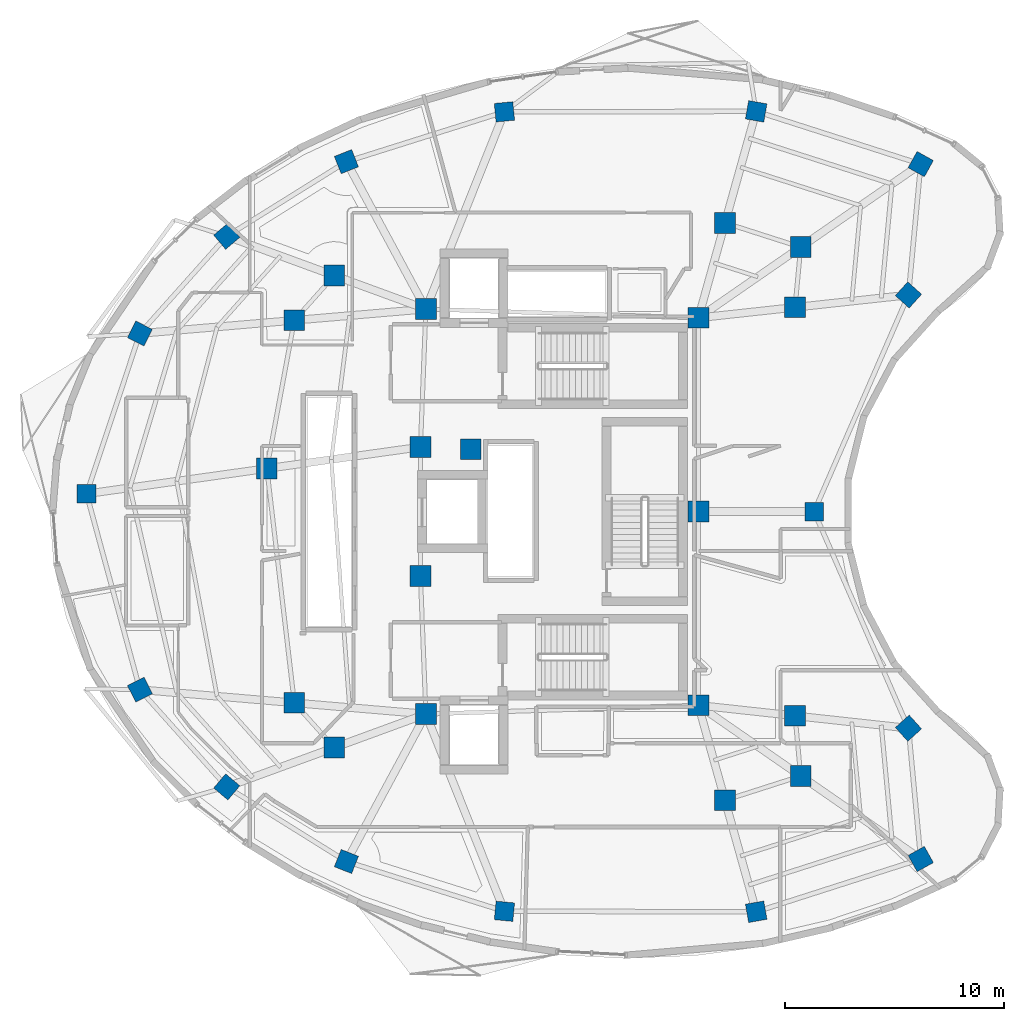
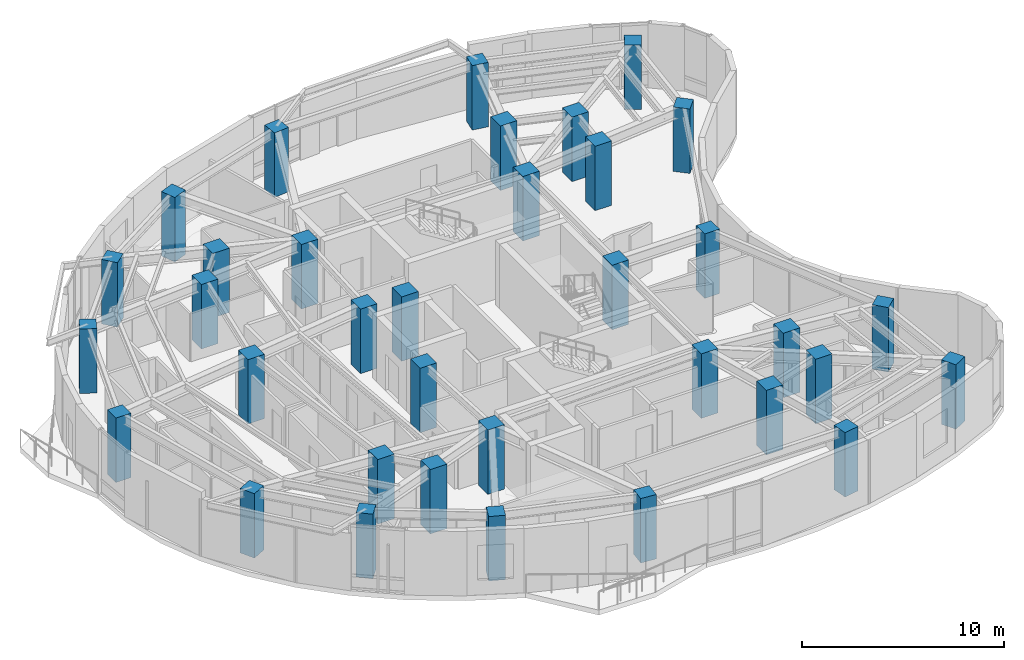
# One storey, part 1 of 14: 35 columns.
"""IFC4 building model written with IfcOpenShell, lengths in metres."""

from ifc_helpers import new_model, si_unit, direction, frame, origin, origin_2d, place, context, subcontext, project, spatial, rectangle, extrude, material, material_profile, profile_set, type_object, element, save


model = new_model("IFC4")

# Units and contexts
model_context = context("Model", 3, precision=1e-05, world=origin(), true_north=direction((0.0, 1.0)))
body_context = subcontext(model_context, "Body", "Model", "MODEL_VIEW")
ifc_project = project(units=[si_unit("LENGTHUNIT", "METRE"), si_unit("AREAUNIT", "SQUARE_METRE"), si_unit("VOLUMEUNIT", "CUBIC_METRE"), si_unit("PLANEANGLEUNIT", "RADIAN"), si_unit("MASSUNIT", "GRAM", prefix="KILO")], contexts=[model_context])

# Site, building, storey
site_placement = place(None, origin())
site = spatial("IfcSite", under=ifc_project, at=site_placement, CompositionType="ELEMENT")
building_placement = place(site_placement, origin())
building = spatial("IfcBuilding", under=site, at=building_placement, Name="Korentha Bioscience Tower", CompositionType="ELEMENT")
storey_placement = place(building_placement, frame((0.0, 0.0, 264.60009765625)))
storey = spatial("IfcBuildingStorey", under=building, at=storey_placement, Name="L61", CompositionType="ELEMENT", Elevation=264.60009765625)

# Columns
ifc_material_1 = material(Name="Concrete C65", Category="concrete")
ifc_material_profile_1 = material_profile(ifc_material_1, rectangle(XDim=0.949951171875, YDim=0.949951171875, at=origin_2d()), Name="Concrete C65")
ifc_profile_set_1 = profile_set([ifc_material_profile_1], Name="Concrete C65 (COL-CP09)")
column_type_1 = type_object("IfcColumnType", Name="Core Pilaster Column RC 950x950", PredefinedType="PILASTER", material=ifc_profile_set_1)
for number, where, z_axis, x_axis, name in (
    (1, (37.550048828125, 35.85009765625, -0.00048828125), (0.0, 0.0, 1.0), (1.0, 0.0, 0.0), "L61 Core Pilaster CP-01"),
    (2, (25.10009765625, 36.25, -0.00048828125), (0.0, 0.0, 1.0), (1.0, 0.0, 0.0), "L61 Core Pilaster CP-02"),
    (3, (24.85009765625, 29.949951171875, -0.00048828125), (0.0, 0.0, 1.0), (1.0, 0.0, 0.0), "L61 Core Pilaster CP-03"),
    (4, (27.14990234375, 29.85009765625, -0.00048828125), (0.0, 0.0, 1.0), (1.0, 0.0, 0.0), "L61 Core Pilaster CP-04"),
    (5, (24.85009765625, 24.050048828125, -0.00048828125), (0.0, 0.0, 1.0), (1.0, 0.0, 0.0), "L61 Core Pilaster CP-05"),
    (6, (25.10009765625, 17.75, -0.00048828125), (0.0, 0.0, 1.0), (1.0, 0.0, 0.0), "L61 Core Pilaster CP-06"),
    (7, (37.550048828125, 18.14990234375, -0.00048828125), (0.0, 0.0, 1.0), (1.0, 0.0, 0.0), "L61 Core Pilaster CP-07"),
    (8, (37.550048828125, 27.0, -0.00048828125), (0.0, 0.0, 1.0), (1.0, 0.0, 0.0), "L61 Core Pilaster CP-08"),
):
    element("IfcColumn", number, at=place(storey_placement, frame(where, z_axis=z_axis, x_axis=x_axis)), inside=storey, type_object=column_type_1, Name=name, PredefinedType="PILASTER", context=body_context, shape_type="SweptSolid", body=[
        extrude(rectangle(XDim=0.949951171875, YDim=0.949951171875, at=origin_2d()), origin(), (0.0, 0.0, 1.0), 3.90087890625),
    ])
ifc_material_profile_2 = material_profile(ifc_material_1, rectangle(XDim=0.949951171875, YDim=0.949951171875, at=origin_2d()), Name="Concrete C65")
ifc_profile_set_2 = profile_set([ifc_material_profile_2], Name="Concrete C65 (COL-MR09)")
column_type_2 = type_object("IfcColumnType", Name="Mid-Ring Lab Column RC 950x950", PredefinedType="COLUMN", material=ifc_profile_set_2)
for number, where, z_axis, x_axis, name in (
    (9, (42.2216796875, 39.08056640625, -0.00048828125), (0.0, 0.0, 1.0), (1.0, 0.0, 0.0), "L61 Mid-Ring Column 01"),
    (10, (38.76416015625, 40.18896484375, -0.00048828125), (0.0, 0.0, 1.0), (1.0, 0.0, 0.0), "L61 Mid-Ring Column 02"),
    (11, (20.915283203125, 37.78125, -0.00048828125), (0.0, 0.0, 1.0), (1.0, 0.0, 0.0), "L61 Mid-Ring Column 05"),
    (12, (19.08984375, 35.737548828125, -0.00048828125), (0.0, 0.0, 1.0), (1.0, 0.0, 0.0), "L61 Mid-Ring Column 06"),
    (13, (17.833740234375, 28.9658203125, -0.00048828125), (0.0, 0.0, 1.0), (1.0, 0.0, 0.0), "L61 Mid-Ring Column 07"),
    (14, (19.08984375, 18.262451171875, -0.00048828125), (0.0, 0.0, 1.0), (1.0, 0.0, 0.0), "L61 Mid-Ring Column 08"),
    (15, (20.915283203125, 16.21875, -0.00048828125), (0.0, 0.0, 1.0), (1.0, 0.0, 0.0), "L61 Mid-Ring Column 09"),
    (16, (38.76416015625, 13.81103515625, -0.00048828125), (0.0, 0.0, 1.0), (1.0, 0.0, 0.0), "L61 Mid-Ring Column 12"),
    (17, (42.2216796875, 14.91943359375, -0.00048828125), (0.0, 0.0, 1.0), (1.0, 0.0, 0.0), "L61 Mid-Ring Column 13"),
    (18, (41.9638671875, 17.669189453125, -0.00048828125), (0.0, 0.0, 1.0), (1.0, 0.0, 0.0), "L61 Mid-Ring Column 14"),
    (19, (41.9638671875, 36.330810546875, -0.00048828125), (0.0, 0.0, 1.0), (1.0, 0.0, 0.0), "L61 Mid-Ring Column 16"),
):
    element("IfcColumn", number, at=place(storey_placement, frame(where, z_axis=z_axis, x_axis=x_axis)), inside=storey, type_object=column_type_2, Name=name, PredefinedType="COLUMN", context=body_context, shape_type="SweptSolid", body=[
        extrude(rectangle(XDim=0.949951171875, YDim=0.949951171875, at=origin_2d()), origin(), (0.0, 0.0, 1.0), 3.90087890625),
    ])
ifc_material_2 = material(Name="Concrete C50", Category="concrete")
ifc_material_profile_3 = material_profile(ifc_material_2, rectangle(XDim=0.85009765625, YDim=0.85009765625, at=origin_2d()), Name="Concrete C50")
ifc_profile_set_3 = profile_set([ifc_material_profile_3], Name="Concrete C50 (COL-P08)")
column_type_3 = type_object("IfcColumnType", Name="Perimeter Column RC 850x850", PredefinedType="COLUMN", material=ifc_profile_set_3)
for number, where, z_axis, x_axis, name in (
    (20, (47.7060546875, 42.873046875, -0.00048828125), (0.0, 0.0, 1.0), (-0.874535078577, 0.484962262797, 0.0), "L61 Perimeter Column 01"),
    (21, (40.189453125, 45.2822265625, -0.00048828125), (0.0, 0.0, 1.0), (-0.984868307662, 0.173304404339, 0.0), "L61 Perimeter Column 02"),
    (22, (28.68798828125, 45.2607421875, -0.00048828125), (0.0, 0.0, 1.0), (0.995462868748, 0.095150811579, 0.0), "L61 Perimeter Column 03"),
    (23, (21.468505859375, 42.986328125, -0.00048828125), (0.0, 0.0, 1.0), (0.930225540858, 0.366988341962, 0.0), "L61 Perimeter Column 04"),
    (24, (16.002685546875, 39.57861328125, -0.00048828125), (0.0, 0.0, 1.0), (0.764246456939, 0.644924300253, 0.0), "L61 Perimeter Column 05"),
    (25, (12.034423828125, 35.135986328125, -0.00048828125), (0.0, 0.0, 1.0), (0.453057191132, 0.891481453292, 0.0), "L61 Perimeter Column 06"),
    (26, (9.597412109375, 27.810302734375, -0.00048828125), (0.0, 0.0, 1.0), (0.0, 1.0, 0.0), "L61 Perimeter Column 07"),
    (27, (12.034423828125, 18.864013671875, -0.00048828125), (0.0, 0.0, 1.0), (-0.453057191132, 0.891481453292, 0.0), "L61 Perimeter Column 08"),
    (28, (16.002685546875, 14.42138671875, -0.00048828125), (0.0, 0.0, 1.0), (-0.764246456939, 0.644924300253, 0.0), "L61 Perimeter Column 09"),
    (29, (21.468505859375, 11.013671875, -0.00048828125), (0.0, 0.0, 1.0), (-0.930225540858, 0.366988341962, 0.0), "L61 Perimeter Column 10"),
    (30, (28.68798828125, 8.7392578125, -0.00048828125), (0.0, 0.0, 1.0), (-0.995462868748, 0.095150811579, 0.0), "L61 Perimeter Column 11"),
    (31, (40.189453125, 8.7177734375, -0.00048828125), (0.0, 0.0, 1.0), (0.984868307662, 0.173304404339, 0.0), "L61 Perimeter Column 12"),
    (32, (47.7060546875, 11.126953125, -0.00048828125), (0.0, 0.0, 1.0), (0.874535078577, 0.484962262797, 0.0), "L61 Perimeter Column 13"),
    (33, (47.1455078125, 17.1044921875, -0.00048828125), (0.0, 0.0, 1.0), (-0.669130606359, 0.743144825477, 0.0), "L61 Perimeter Column 14"),
    (34, (42.833984375, 27.0, -0.00048828125), (0.0, 0.0, 1.0), (0.0, 1.0, 0.0), "L61 Perimeter Column 15"),
    (35, (47.1455078125, 36.8955078125, -0.00048828125), (0.0, 0.0, 1.0), (0.669130606359, 0.743144825477, 0.0), "L61 Perimeter Column 16"),
):
    element("IfcColumn", number, at=place(storey_placement, frame(where, z_axis=z_axis, x_axis=x_axis)), inside=storey, type_object=column_type_3, Name=name, PredefinedType="COLUMN", context=body_context, shape_type="SweptSolid", body=[
        extrude(rectangle(XDim=0.85009765625, YDim=0.85009765625, at=origin_2d()), origin(), (0.0, 0.0, 1.0), 3.90087890625),
    ])

save(model, "model.ifc")
